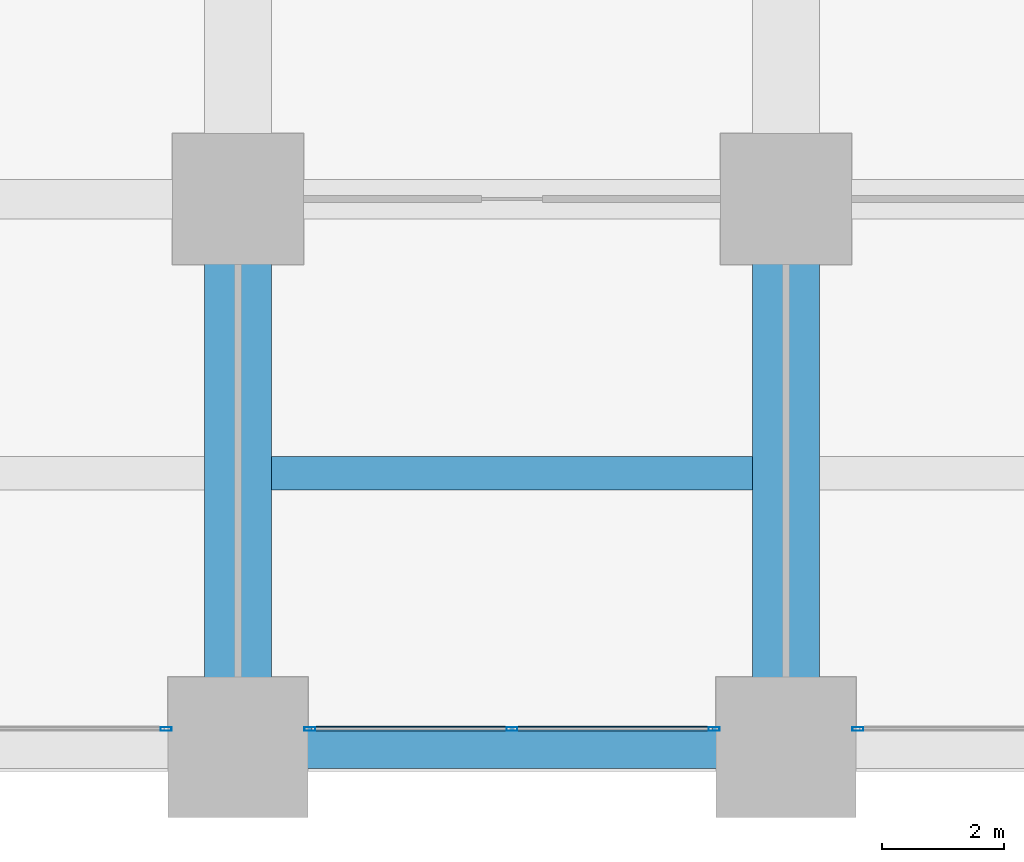
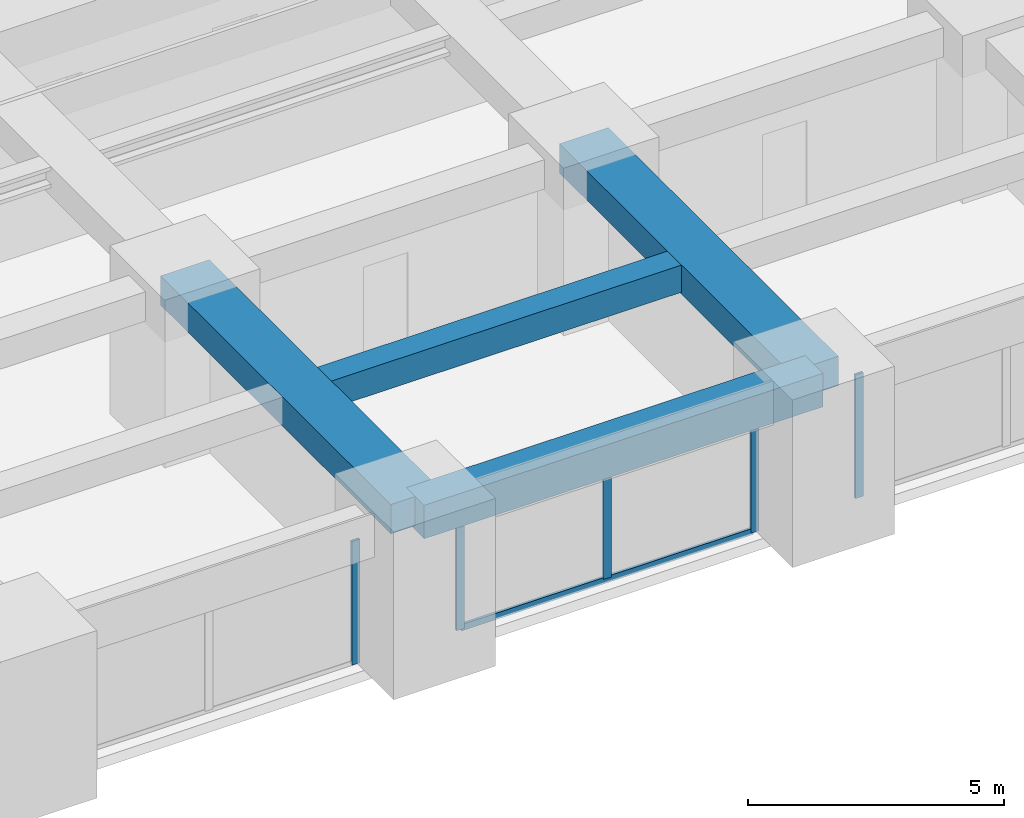
# One storey, part 13 of 44: 6 members, 4 beams, 3 elements without a shape of their own.
"""IFC4 building model written with IfcOpenShell, lengths in metres."""

from ifc_helpers import new_model, si_unit, direction, frame, origin, origin_2d, place, context, subcontext, project, spatial, rectangle, hollow_rectangle, extrude, material, material_profile, profile_set, type_object, element, aggregate, save


model = new_model("IFC4")

# Units and contexts
model_context = context("Model", 3, precision=1e-05, world=origin(), true_north=direction((0.0, 1.0)))
body_context = subcontext(model_context, "Body", "Model", "MODEL_VIEW")
ifc_project = project(units=[si_unit("LENGTHUNIT", "METRE"), si_unit("AREAUNIT", "SQUARE_METRE"), si_unit("VOLUMEUNIT", "CUBIC_METRE"), si_unit("PLANEANGLEUNIT", "RADIAN"), si_unit("MASSUNIT", "GRAM", prefix="KILO")], contexts=[model_context])

# Site, building, storey
site_placement = place(None, origin())
site = spatial("IfcSite", under=ifc_project, at=site_placement, CompositionType="ELEMENT")
building_placement = place(site_placement, origin())
building = spatial("IfcBuilding", under=site, at=building_placement, Name="Zorevar Civic Tower", CompositionType="ELEMENT")
storey_placement = place(building_placement, frame((0.0, 0.0, 51.800048828125)))
storey = spatial("IfcBuildingStorey", under=building, at=storey_placement, Name="L12", CompositionType="ELEMENT", Elevation=51.800048828125)

# Beams
ifc_material_1 = material(Name="Concrete C50/60", Category="concrete")
ifc_material_profile_1 = material_profile(ifc_material_1, rectangle(XDim=1.10009765625, YDim=0.699951171875, at=origin_2d()), Name="RC 1100x700")
ifc_profile_set_1 = profile_set([ifc_material_profile_1], Name="Concrete C50/60")
beam_type_1 = type_object("IfcBeamType", Name="Beam RC 1100x700", PredefinedType="BEAM", material=ifc_profile_set_1)
for number, where, z_axis, x_axis, name in (
    (1, (36.0, 0.0, 3.39990234375), (0.0, 1.0, 0.0), (-1.0, 0.0, 0.0), "Girder L13"),
    (2, (45.0, 0.0, 3.39990234375), (0.0, 1.0, 0.0), (-1.0, 0.0, 0.0), "Girder L13"),
):
    element("IfcBeam", number, at=place(storey_placement, frame(where, z_axis=z_axis, x_axis=x_axis)), inside=storey, type_object=beam_type_1, Name=name, PredefinedType="BEAM", context=body_context, shape_type="SweptSolid", body=[
        extrude(rectangle(XDim=1.10009765625, YDim=0.699951171875, at=origin_2d()), origin(), (0.0, 0.0, 1.0), 9.0),
    ])
ifc_material_2 = material(Name="Concrete C50/60", Category="concrete")
ifc_material_profile_2 = material_profile(ifc_material_2, rectangle(XDim=0.550048828125, YDim=0.64990234375, at=origin_2d()), Name="RC 550x650")
ifc_profile_set_2 = profile_set([ifc_material_profile_2], Name="Concrete C50/60")
beam_type_2 = type_object("IfcBeamType", Name="Beam RC 550x650", PredefinedType="BEAM", material=ifc_profile_set_2)
beam_1_placement = place(storey_placement, frame((36.550048828125, 4.5, 3.425048828125), z_axis=(1.0, 0.0, 0.0), x_axis=(0.0, 1.0, 0.0)))
element("IfcBeam", 3, at=beam_1_placement, inside=storey, type_object=beam_type_2, Name="Secondary beam L13", PredefinedType="BEAM", context=body_context, shape_type="SweptSolid", body=[
    extrude(rectangle(XDim=0.550048828125, YDim=0.64990234375, at=origin_2d()), origin(), (0.0, 0.0, 1.0), 7.89990234375),
])

# Curtain wall, member
ifc_material_3 = material(Name="Dark grey solar-control glass in black aluminium frame", Category="aluminium")
curtain_wall_type = type_object("IfcCurtainWallType", Name="Curtain wall CW2 low zone", PredefinedType="NOTDEFINED", material=ifc_material_3)
curtain_wall_1_placement = place(storey_placement, origin())
curtain_wall_1 = element("IfcCurtainWall", 4, at=curtain_wall_1_placement, inside=storey, type_object=curtain_wall_type, Name="CW2 L12", PredefinedType="NOTDEFINED")
ifc_material_4 = material(Name="Aluminium, black anodised", Category="aluminium")
ifc_material_profile_3 = material_profile(ifc_material_4, hollow_rectangle(XDim=0.06005859375, YDim=0.179931640625, WallThickness=0.00390625, at=origin_2d()), Name="AL 180x60x4")
ifc_profile_set_3 = profile_set([ifc_material_profile_3], Name="Aluminium, black anodised")
member_type_1 = type_object("IfcMemberType", Name="CW2 mullion AL 180x60x4", PredefinedType="MULLION", material=ifc_profile_set_3)
member_1_placement = place(storey_placement, frame((34.820068359375, 0.300048828125, 0.0), z_axis=(0.0, 0.0, 1.0), x_axis=(0.0, 1.0, 0.0)))
member_1 = element("IfcMember", 5, at=member_1_placement, type_object=member_type_1, Name="CW2 mullion 3", PredefinedType="MULLION", context=body_context, shape_type="SweptSolid", body=[
    extrude(hollow_rectangle(XDim=0.06005859375, YDim=0.179931640625, WallThickness=0.00390625, at=origin_2d()), origin(), (0.0, 0.0, 1.0), 2.949951171875),
])
aggregate(curtain_wall_1, [member_1])

# Curtain wall, members
curtain_wall_2_placement = place(storey_placement, origin())
curtain_wall_2 = element("IfcCurtainWall", 6, at=curtain_wall_2_placement, inside=storey, type_object=curtain_wall_type, Name="CW2 L12", PredefinedType="NOTDEFINED")
member_2_placement = place(storey_placement, frame((37.179931640625, 0.300048828125, 0.0), z_axis=(0.0, 0.0, 1.0), x_axis=(0.0, 1.0, 0.0)))
member_2 = element("IfcMember", 7, at=member_2_placement, type_object=member_type_1, Name="CW2 mullion 1", PredefinedType="MULLION", context=body_context, shape_type="SweptSolid", body=[
    extrude(hollow_rectangle(XDim=0.06005859375, YDim=0.179931640625, WallThickness=0.00390625, at=origin_2d()), origin(), (0.0, 0.0, 1.0), 2.949951171875),
])
member_3_placement = place(storey_placement, frame((40.5, 0.300048828125, 0.06005859375), z_axis=(0.0, 0.0, 1.0), x_axis=(0.0, 1.0, 0.0)))
member_3 = element("IfcMember", 8, at=member_3_placement, type_object=member_type_1, Name="CW2 mullion 2", PredefinedType="MULLION", context=body_context, shape_type="SweptSolid", body=[
    extrude(hollow_rectangle(XDim=0.06005859375, YDim=0.179931640625, WallThickness=0.00390625, at=origin_2d()), origin(), (0.0, 0.0, 1.0), 2.889892578125),
])
member_4_placement = place(storey_placement, frame((43.820068359375, 0.300048828125, 0.0), z_axis=(0.0, 0.0, 1.0), x_axis=(0.0, 1.0, 0.0)))
member_4 = element("IfcMember", 9, at=member_4_placement, type_object=member_type_1, Name="CW2 mullion 3", PredefinedType="MULLION", context=body_context, shape_type="SweptSolid", body=[
    extrude(hollow_rectangle(XDim=0.06005859375, YDim=0.179931640625, WallThickness=0.00390625, at=origin_2d()), origin(), (0.0, 0.0, 1.0), 2.949951171875),
])

# Curtain wall, member
curtain_wall_3_placement = place(storey_placement, origin())
curtain_wall_3 = element("IfcCurtainWall", 10, at=curtain_wall_3_placement, inside=storey, type_object=curtain_wall_type, Name="CW2 L12", PredefinedType="NOTDEFINED")
member_5_placement = place(storey_placement, frame((46.179931640625, 0.300048828125, 0.0), z_axis=(0.0, 0.0, 1.0), x_axis=(0.0, 1.0, 0.0)))
member_5 = element("IfcMember", 11, at=member_5_placement, type_object=member_type_1, Name="CW2 mullion 1", PredefinedType="MULLION", context=body_context, shape_type="SweptSolid", body=[
    extrude(hollow_rectangle(XDim=0.06005859375, YDim=0.179931640625, WallThickness=0.00390625, at=origin_2d()), origin(), (0.0, 0.0, 1.0), 2.949951171875),
])
aggregate(curtain_wall_3, [member_5])

# Member
ifc_material_5 = material(Name="Aluminium, black anodised", Category="aluminium")
ifc_material_profile_4 = material_profile(ifc_material_5, hollow_rectangle(XDim=0.06005859375, YDim=0.14990234375, WallThickness=0.00390625, at=origin_2d()), Name="AL 150x60x4")
ifc_profile_set_4 = profile_set([ifc_material_profile_4], Name="Aluminium, black anodised")
member_type_2 = type_object("IfcMemberType", Name="CW2 transom AL 150x60x4", PredefinedType="USERDEFINED", material=ifc_profile_set_4)
member_6_placement = place(storey_placement, frame((37.2099609375, 0.300048828125, 0.030029296875), z_axis=(1.0, 0.0, 0.0), x_axis=(0.0, 1.0, 0.0)))
member_6 = element("IfcMember", 12, at=member_6_placement, type_object=member_type_2, Name="CW2 sill transom", ObjectType="TRANSOM", PredefinedType="USERDEFINED", context=body_context, shape_type="SweptSolid", body=[
    extrude(hollow_rectangle(XDim=0.06005859375, YDim=0.14990234375, WallThickness=0.00390625, at=origin_2d()), origin(), (0.0, 0.0, 1.0), 6.580078125),
])

aggregate(curtain_wall_2, [member_2, member_3, member_4, member_6])

# Beam
ifc_material_6 = material(Name="Concrete C50/60", Category="concrete")
ifc_material_profile_5 = material_profile(ifc_material_6, rectangle(XDim=0.699951171875, YDim=0.800048828125, at=origin_2d()), Name="RC 700x800")
ifc_profile_set_5 = profile_set([ifc_material_profile_5], Name="Concrete C50/60")
beam_type_3 = type_object("IfcBeamType", Name="Edge beam RC 700x800", PredefinedType="SPANDREL", material=ifc_profile_set_5)
beam_2_placement = place(storey_placement, frame((36.0, 0.0, 3.349853515625), z_axis=(1.0, 0.0, 0.0), x_axis=(0.0, 1.0, 0.0)))
element("IfcBeam", 13, at=beam_2_placement, inside=storey, type_object=beam_type_3, Name="Edge beam L13", PredefinedType="SPANDREL", context=body_context, shape_type="SweptSolid", body=[
    extrude(rectangle(XDim=0.699951171875, YDim=0.800048828125, at=origin_2d()), origin(), (0.0, 0.0, 1.0), 9.0),
])

save(model, "model.ifc")
